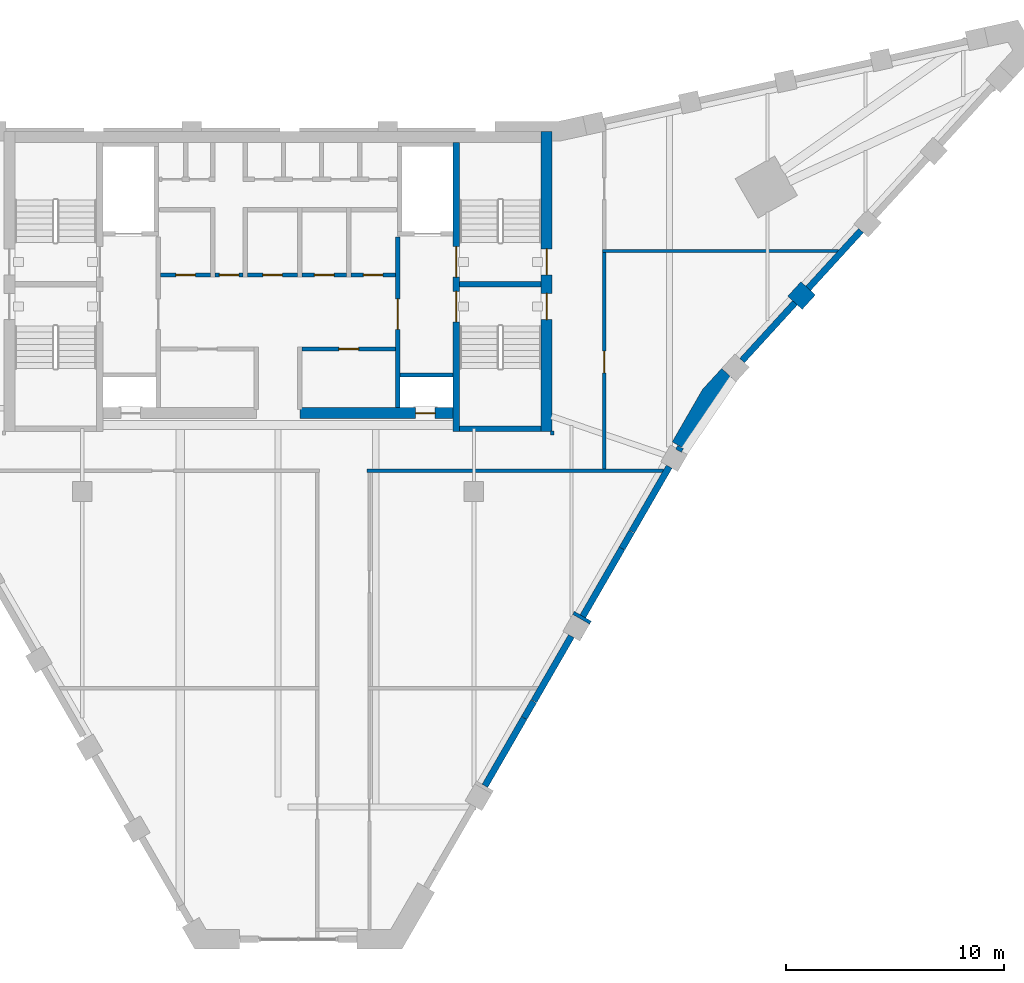
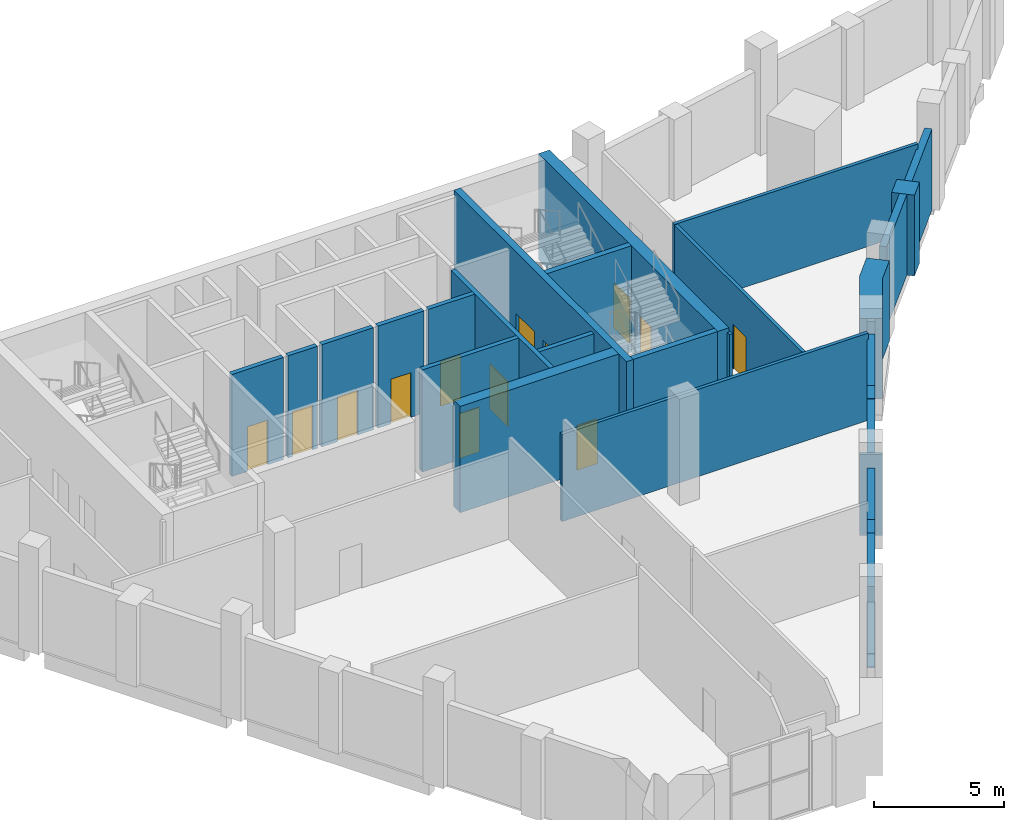
# One storey, part 5 of 9: 29 walls, 13 doors, 13 openings.
"""IFC4 building model written with IfcOpenShell, lengths in metres."""

from ifc_helpers import new_model, si_unit, direction, frame, frame_2d, origin, place, context, subcontext, project, spatial, polyline, rectangle, outline, extrude, material, layer, layer_set, type_object, element, fill, save


model = new_model("IFC4")

# Units and contexts
model_context = context("Model", 3, precision=1e-05, world=origin(), true_north=direction((0.0, 1.0)))
body_context = subcontext(model_context, "Body", "Model", "MODEL_VIEW")
ifc_project = project(units=[si_unit("LENGTHUNIT", "METRE"), si_unit("AREAUNIT", "SQUARE_METRE"), si_unit("VOLUMEUNIT", "CUBIC_METRE"), si_unit("PLANEANGLEUNIT", "RADIAN"), si_unit("MASSUNIT", "GRAM", prefix="KILO")], contexts=[model_context])

# Site, building, storey
site_placement = place(None, origin())
site = spatial("IfcSite", under=ifc_project, at=site_placement, CompositionType="ELEMENT")
building_placement = place(site_placement, origin())
building = spatial("IfcBuilding", under=site, at=building_placement, Name="Calabash Gate Tower", CompositionType="ELEMENT")
storey_placement = place(building_placement, frame((0.0, 0.0, 315.5)))
storey = spatial("IfcBuildingStorey", under=building, at=storey_placement, Name="L74", CompositionType="ELEMENT", Elevation=315.5)

# Walls
ifc_material_1 = material(Name="Terracotta brick masonry, exposed face", Category="masonry")
ifc_layer_1 = layer(ifc_material_1, 0.89990234375)
ifc_layer_set_1 = layer_set([ifc_layer_1], Name="Brick end wall 900")
wall_type_1 = type_object("IfcWallType", Name="Brick end wall 900", PredefinedType="SOLIDWALL", material=ifc_layer_set_1)
wall_1_placement = place(storey_placement, origin())
element("IfcWall", 1, at=wall_1_placement, inside=storey, type_object=wall_type_1, Name="Brick pier L74 crown2.3", PredefinedType="SOLIDWALL", context=body_context, shape_type="SweptSolid", body=[
    extrude(outline(polyline([(14.401611328125, -3.462890625), (13.622314453125, -3.012939453125), (13.5439453125, -3.148681640625), (14.32275390625, -3.598388671875), (13.950927734375, -4.241943359375), (13.95166015625, -4.242431640625), (14.401611328125, -3.462890625)])), origin(), (0.0, 0.0, 1.0), 3.800048828125),
])
wall_2_placement = place(storey_placement, frame((23.763671875, 11.17333984375, 0.0), z_axis=(0.0, 0.0, 1.0), x_axis=(0.674802966049, 0.737997938352, 0.0)))
element("IfcWall", 2, at=wall_2_placement, inside=storey, type_object=wall_type_1, Name="Brick pier L74 crown3.1", PredefinedType="SOLIDWALL", context=body_context, shape_type="SweptSolid", body=[
    extrude(rectangle(XDim=0.900146484375, YDim=0.89990234375, at=frame_2d((0.4501953125, 0.0))), origin(), (0.0, 0.0, 1.0), 3.800048828125),
])
wall_3_placement = place(storey_placement, origin())
element("IfcWall", 3, at=wall_3_placement, inside=storey, type_object=wall_type_1, Name="Brick end wall L74 3", PredefinedType="SOLIDWALL", context=body_context, shape_type="SweptSolid", body=[
    extrude(outline(polyline([(18.122314453125, 4.78125), (18.901611328125, 4.331298828125), (20.24658203125, 6.66064453125), (21.058837890625, 7.548828125), (20.394775390625, 8.15625), (19.516357421875, 7.19580078125), (18.122314453125, 4.78125)])), origin(), (0.0, 0.0, 1.0), 3.800048828125),
])

# Wall, opening, door
ifc_material_2 = material(Name="Gypsum board on steel studs, mineral wool", Category="steel")
ifc_layer_2 = layer(ifc_material_2, 0.199951171875)
ifc_layer_set_2 = layer_set([ifc_layer_2], Name="Core partition 200 gypsum board")
wall_type_2 = type_object("IfcWallType", Name="Core partition 200 gypsum board", PredefinedType="PARTITIONING", material=ifc_layer_set_2)
wall_4_placement = place(storey_placement, frame((1.10009765625, 9.052490234375, 0.0), z_axis=(0.0, 0.0, 1.0), x_axis=(1.0, 0.0, 0.0)))
wall_4 = element("IfcWall", 4, at=wall_4_placement, inside=storey, type_object=wall_type_2, Name="Core partition", PredefinedType="PARTITIONING", context=body_context, shape_type="SweptSolid", body=[
    extrude(rectangle(XDim=4.2998046875, YDim=0.199951171875, at=frame_2d((2.14990234375, 0.0))), origin(), (0.0, 0.0, 1.0), 4.800048828125),
])
opening_1_placement = place(wall_4_placement, frame((1.699951171875, 0.0, 0.0)))
opening_1 = element("IfcOpeningElement", 5, at=opening_1_placement, cuts=wall_4, Name="Opening L74-019", PredefinedType="OPENING", context=body_context, shape_type="SweptSolid", body=[
    extrude(rectangle(XDim=0.89990234375, YDim=2.10009765625, at=frame_2d((0.449951171875, 1.050048828125))), frame((0.0, 0.10986328125, 0.0), z_axis=(0.0, -1.0, 0.0), x_axis=(1.0, 0.0, 0.0)), (0.0, 0.0, 1.0), 0.219970703125),
])
ifc_material_3 = material(Name="Steel fire door set with fire-resisting glazing", Category="steel")
door_type_1 = type_object("IfcDoorType", Name="Fire door D06 900x2100 FD60", OperationType="NOTDEFINED", PredefinedType="DOOR", material=ifc_material_3)
door_1_placement = place(opening_1_placement, origin())
door_1 = element("IfcDoor", 6, at=door_1_placement, inside=storey, type_object=door_type_1, Name="Maintenance Store door", OperationType="SINGLE_SWING_LEFT", OverallHeight=2.10009765625, OverallWidth=0.89990234375, PredefinedType="DOOR", context=body_context, shape_type="SweptSolid", body=[
    extrude(rectangle(XDim=0.89990234375, YDim=2.10009765625, at=frame_2d((0.449951171875, 1.050048828125))), frame((0.0, 0.02490234375, 0.0), z_axis=(0.0, -1.0, 0.0), x_axis=(1.0, 0.0, 0.0)), (0.0, 0.0, 1.0), 0.050048828125),
])
fill(opening_1, door_1)

wall_5_placement = place(storey_placement, frame((-5.39990234375, 12.45263671875, 0.0), z_axis=(0.0, 0.0, 1.0), x_axis=(1.0, 0.0, 0.0)))
wall_5 = element("IfcWall", 7, at=wall_5_placement, inside=storey, type_object=wall_type_2, Name="Core partition", PredefinedType="PARTITIONING", context=body_context, shape_type="SweptSolid", body=[
    extrude(rectangle(XDim=2.2998046875, YDim=0.199951171875, at=frame_2d((1.14990234375, 0.0))), origin(), (0.0, 0.0, 1.0), 4.800048828125),
])
opening_2_placement = place(wall_5_placement, frame((0.699951171875, 0.0, 0.0)))
opening_2 = element("IfcOpeningElement", 8, at=opening_2_placement, cuts=wall_5, Name="Opening L74-022", PredefinedType="OPENING", context=body_context, shape_type="SweptSolid", body=[
    extrude(rectangle(XDim=0.89990234375, YDim=2.10009765625, at=frame_2d((0.449951171875, 1.050048828125))), frame((0.0, 0.10986328125, 0.0), z_axis=(0.0, -1.0, 0.0), x_axis=(1.0, 0.0, 0.0)), (0.0, 0.0, 1.0), 0.219970703125),
])
door_2_placement = place(opening_2_placement, origin())
door_2 = element("IfcDoor", 9, at=door_2_placement, inside=storey, type_object=door_type_1, Name="Emergency Generator Room door", OperationType="SINGLE_SWING_RIGHT", OverallHeight=2.10009765625, OverallWidth=0.89990234375, PredefinedType="DOOR", context=body_context, shape_type="SweptSolid", body=[
    extrude(rectangle(XDim=0.89990234375, YDim=2.10009765625, at=frame_2d((0.449951171875, 1.050048828125))), frame((0.0, 0.02490234375, 0.0), z_axis=(0.0, -1.0, 0.0), x_axis=(1.0, 0.0, 0.0)), (0.0, 0.0, 1.0), 0.050048828125),
])
fill(opening_2, door_2)

wall_6_placement = place(storey_placement, frame((-2.89990234375, 12.45263671875, 0.0), z_axis=(0.0, 0.0, 1.0), x_axis=(1.0, 0.0, 0.0)))
wall_6 = element("IfcWall", 10, at=wall_6_placement, inside=storey, type_object=wall_type_2, Name="Core partition", PredefinedType="PARTITIONING", context=body_context, shape_type="SweptSolid", body=[
    extrude(rectangle(XDim=1.2998046875, YDim=0.199951171875, at=frame_2d((0.64990234375, 0.0))), origin(), (0.0, 0.0, 1.0), 4.800048828125),
])
opening_3_placement = place(wall_6_placement, frame((0.199951171875, 0.0, 0.0)))
opening_3 = element("IfcOpeningElement", 11, at=opening_3_placement, cuts=wall_6, Name="Opening L74-009", PredefinedType="OPENING", context=body_context, shape_type="SweptSolid", body=[
    extrude(rectangle(XDim=0.89990234375, YDim=2.10009765625, at=frame_2d((0.449951171875, 1.050048828125))), frame((0.0, 0.10986328125, 0.0), z_axis=(0.0, -1.0, 0.0), x_axis=(1.0, 0.0, 0.0)), (0.0, 0.0, 1.0), 0.219970703125),
])
door_3_placement = place(opening_3_placement, origin())
door_3 = element("IfcDoor", 12, at=door_3_placement, inside=storey, type_object=door_type_1, Name="Service Corridor door", OperationType="SINGLE_SWING_RIGHT", OverallHeight=2.10009765625, OverallWidth=0.89990234375, PredefinedType="DOOR", context=body_context, shape_type="SweptSolid", body=[
    extrude(rectangle(XDim=0.89990234375, YDim=2.10009765625, at=frame_2d((0.449951171875, 1.050048828125))), frame((0.0, 0.02490234375, 0.0), z_axis=(0.0, -1.0, 0.0), x_axis=(1.0, 0.0, 0.0)), (0.0, 0.0, 1.0), 0.050048828125),
])
fill(opening_3, door_3)

wall_7_placement = place(storey_placement, frame((-1.39990234375, 12.45263671875, 0.0), z_axis=(0.0, 0.0, 1.0), x_axis=(1.0, 0.0, 0.0)))
wall_7 = element("IfcWall", 13, at=wall_7_placement, inside=storey, type_object=wall_type_2, Name="Core partition", PredefinedType="PARTITIONING", context=body_context, shape_type="SweptSolid", body=[
    extrude(rectangle(XDim=2.2998046875, YDim=0.199951171875, at=frame_2d((1.14990234375, 0.0))), origin(), (0.0, 0.0, 1.0), 4.800048828125),
])
opening_4_placement = place(wall_7_placement, frame((0.699951171875, 0.0, 0.0)))
opening_4 = element("IfcOpeningElement", 14, at=opening_4_placement, cuts=wall_7, Name="Opening L74-023", PredefinedType="OPENING", context=body_context, shape_type="SweptSolid", body=[
    extrude(rectangle(XDim=0.89990234375, YDim=2.10009765625, at=frame_2d((0.449951171875, 1.050048828125))), frame((0.0, 0.10986328125, 0.0), z_axis=(0.0, -1.0, 0.0), x_axis=(1.0, 0.0, 0.0)), (0.0, 0.0, 1.0), 0.219970703125),
])
door_4_placement = place(opening_4_placement, origin())
door_4 = element("IfcDoor", 15, at=door_4_placement, inside=storey, type_object=door_type_1, Name="Plant UPS Room door", OperationType="SINGLE_SWING_RIGHT", OverallHeight=2.10009765625, OverallWidth=0.89990234375, PredefinedType="DOOR", context=body_context, shape_type="SweptSolid", body=[
    extrude(rectangle(XDim=0.89990234375, YDim=2.10009765625, at=frame_2d((0.449951171875, 1.050048828125))), frame((0.0, 0.02490234375, 0.0), z_axis=(0.0, -1.0, 0.0), x_axis=(1.0, 0.0, 0.0)), (0.0, 0.0, 1.0), 0.050048828125),
])
fill(opening_4, door_4)

wall_8_placement = place(storey_placement, frame((1.10009765625, 12.45263671875, 0.0), z_axis=(0.0, 0.0, 1.0), x_axis=(1.0, 0.0, 0.0)))
wall_8 = element("IfcWall", 16, at=wall_8_placement, inside=storey, type_object=wall_type_2, Name="Core partition", PredefinedType="PARTITIONING", context=body_context, shape_type="SweptSolid", body=[
    extrude(rectangle(XDim=2.0498046875, YDim=0.199951171875, at=frame_2d((1.02490234375, 0.0))), origin(), (0.0, 0.0, 1.0), 4.800048828125),
])
opening_5_placement = place(wall_8_placement, frame((0.574951171875, 0.0, 0.0)))
opening_5 = element("IfcOpeningElement", 17, at=opening_5_placement, cuts=wall_8, Name="Opening L74-020", PredefinedType="OPENING", context=body_context, shape_type="SweptSolid", body=[
    extrude(rectangle(XDim=0.89990234375, YDim=2.10009765625, at=frame_2d((0.449951171875, 1.050048828125))), frame((0.0, 0.10986328125, 0.0), z_axis=(0.0, -1.0, 0.0), x_axis=(1.0, 0.0, 0.0)), (0.0, 0.0, 1.0), 0.219970703125),
])
door_5_placement = place(opening_5_placement, origin())
door_5 = element("IfcDoor", 18, at=door_5_placement, inside=storey, type_object=door_type_1, Name="Plant Spares Store door", OperationType="SINGLE_SWING_RIGHT", OverallHeight=2.10009765625, OverallWidth=0.89990234375, PredefinedType="DOOR", context=body_context, shape_type="SweptSolid", body=[
    extrude(rectangle(XDim=0.89990234375, YDim=2.10009765625, at=frame_2d((0.449951171875, 1.050048828125))), frame((0.0, 0.02490234375, 0.0), z_axis=(0.0, -1.0, 0.0), x_axis=(1.0, 0.0, 0.0)), (0.0, 0.0, 1.0), 0.050048828125),
])
fill(opening_5, door_5)

wall_9_placement = place(storey_placement, frame((3.35009765625, 12.45263671875, 0.0), z_axis=(0.0, 0.0, 1.0), x_axis=(1.0, 0.0, 0.0)))
wall_9 = element("IfcWall", 19, at=wall_9_placement, inside=storey, type_object=wall_type_2, Name="Core partition", PredefinedType="PARTITIONING", context=body_context, shape_type="SweptSolid", body=[
    extrude(rectangle(XDim=2.0498046875, YDim=0.199951171875, at=frame_2d((1.02490234375, 0.0))), origin(), (0.0, 0.0, 1.0), 4.800048828125),
])
opening_6_placement = place(wall_9_placement, frame((0.574951171875, 0.0, 0.0)))
opening_6 = element("IfcOpeningElement", 20, at=opening_6_placement, cuts=wall_9, Name="Opening L74-021", PredefinedType="OPENING", context=body_context, shape_type="SweptSolid", body=[
    extrude(rectangle(XDim=0.89990234375, YDim=2.10009765625, at=frame_2d((0.449951171875, 1.050048828125))), frame((0.0, 0.10986328125, 0.0), z_axis=(0.0, -1.0, 0.0), x_axis=(1.0, 0.0, 0.0)), (0.0, 0.0, 1.0), 0.219970703125),
])
door_6_placement = place(opening_6_placement, origin())
door_6 = element("IfcDoor", 21, at=door_6_placement, inside=storey, type_object=door_type_1, Name="Plant Workshop door", OperationType="SINGLE_SWING_LEFT", OverallHeight=2.10009765625, OverallWidth=0.89990234375, PredefinedType="DOOR", context=body_context, shape_type="SweptSolid", body=[
    extrude(rectangle(XDim=0.89990234375, YDim=2.10009765625, at=frame_2d((0.449951171875, 1.050048828125))), frame((0.0, 0.02490234375, 0.0), z_axis=(0.0, -1.0, 0.0), x_axis=(1.0, 0.0, 0.0)), (0.0, 0.0, 1.0), 0.050048828125),
])
fill(opening_6, door_6)

# Walls
ifc_material_4 = material(Name="Concrete C60/75", Category="concrete")
ifc_layer_3 = layer(ifc_material_4, 0.25)
ifc_layer_set_3 = layer_set([ifc_layer_3], Name="Core wall 250 Concrete C60/75")
wall_type_3 = type_object("IfcWallType", Name="Core wall 250 Concrete C60/75", PredefinedType="SHEAR", material=ifc_layer_set_3)
for number, where, z_axis, x_axis, name in (
    (22, (8.35009765625, 12.027587890625, 0.0), (0.0, 0.0, 1.0), (1.0, 0.0, 0.0), "Core wall C-MIDE L74"),
    (23, (8.35009765625, 5.377685546875, 0.0), (0.0, 0.0, 1.0), (1.0, 0.0, 0.0), "Core wall C-SSE L74"),
):
    element("IfcWall", number, at=place(storey_placement, frame(where, z_axis=z_axis, x_axis=x_axis)), inside=storey, type_object=wall_type_3, Name=name, PredefinedType="SHEAR", context=body_context, shape_type="SweptSolid", body=[
        extrude(rectangle(XDim=3.75, YDim=0.25, at=frame_2d((1.875, 0.0))), origin(), (0.0, 0.0, 1.0), 5.0),
    ])

# Wall, openings, doors
ifc_material_5 = material(Name="Concrete C60/75", Category="concrete")
ifc_layer_4 = layer(ifc_material_5, 0.300048828125)
ifc_layer_set_4 = layer_set([ifc_layer_4], Name="Core wall 300 Concrete C60/75")
wall_type_4 = type_object("IfcWallType", Name="Core wall 300 Concrete C60/75", PredefinedType="SHEAR", material=ifc_layer_set_4)
wall_10_placement = place(storey_placement, frame((8.199951171875, 5.252685546875, 0.0), z_axis=(0.0, 0.0, 1.0), x_axis=(0.0, 1.0, 0.0)))
wall_10 = element("IfcWall", 24, at=wall_10_placement, inside=storey, type_object=wall_type_4, Name="Core wall C-PARTE L74", PredefinedType="SHEAR", context=body_context, shape_type="SweptSolid", body=[
    extrude(rectangle(XDim=13.2998046875, YDim=0.300048828125, at=frame_2d((6.64990234375, 0.0))), origin(), (0.0, 0.0, 1.0), 5.0),
])
opening_7_placement = place(wall_10_placement, frame((7.10009765625, 0.0, 0.0)))
opening_7 = element("IfcOpeningElement", 25, at=opening_7_placement, cuts=wall_10, Name="Opening L74-003", PredefinedType="OPENING", context=body_context, shape_type="SweptSolid", body=[
    extrude(rectangle(XDim=1.39990234375, YDim=2.10009765625, at=frame_2d((0.699951171875, 1.050048828125))), frame((0.0, 0.159912109375, 0.0), z_axis=(0.0, -1.0, 0.0), x_axis=(1.0, 0.0, 0.0)), (0.0, 0.0, 1.0), 0.320068359375),
])
opening_8_placement = place(wall_10_placement, frame((5.050048828125, 0.0, 0.0)))
opening_8 = element("IfcOpeningElement", 26, at=opening_8_placement, cuts=wall_10, Name="Opening L74-004", PredefinedType="OPENING", context=body_context, shape_type="SweptSolid", body=[
    extrude(rectangle(XDim=1.39990234375, YDim=2.10009765625, at=frame_2d((0.699951171875, 1.050048828125))), frame((0.0, 0.159912109375, 0.0), z_axis=(0.0, -1.0, 0.0), x_axis=(1.0, 0.0, 0.0)), (0.0, 0.0, 1.0), 0.320068359375),
])
ifc_material_6 = material(Name="Steel fire door set with fire-resisting glazing", Category="steel")
door_type_2 = type_object("IfcDoorType", Name="Fire door D05 1400x2100 FD90", OperationType="NOTDEFINED", PredefinedType="DOOR", material=ifc_material_6)
door_7_placement = place(opening_7_placement, origin())
door_7 = element("IfcDoor", 27, at=door_7_placement, inside=storey, type_object=door_type_2, Name="Exit stair door ST3", OperationType="SINGLE_SWING_RIGHT", OverallHeight=2.10009765625, OverallWidth=1.39990234375, PredefinedType="DOOR", context=body_context, shape_type="SweptSolid", body=[
    extrude(rectangle(XDim=1.39990234375, YDim=2.10009765625, at=frame_2d((0.699951171875, 1.050048828125))), frame((0.0, 0.02490234375, 0.0), z_axis=(0.0, -1.0, 0.0), x_axis=(1.0, 0.0, 0.0)), (0.0, 0.0, 1.0), 0.050048828125),
])
fill(opening_7, door_7)
door_8_placement = place(opening_8_placement, origin())
door_8 = element("IfcDoor", 28, at=door_8_placement, inside=storey, type_object=door_type_2, Name="Exit stair door ST4", OperationType="SINGLE_SWING_LEFT", OverallHeight=2.10009765625, OverallWidth=1.39990234375, PredefinedType="DOOR", context=body_context, shape_type="SweptSolid", body=[
    extrude(rectangle(XDim=1.39990234375, YDim=2.10009765625, at=frame_2d((0.699951171875, 1.050048828125))), frame((0.0, 0.02490234375, 0.0), z_axis=(0.0, -1.0, 0.0), x_axis=(1.0, 0.0, 0.0)), (0.0, 0.0, 1.0), 0.050048828125),
])
fill(opening_8, door_8)

ifc_material_7 = material(Name="Concrete C60/75", Category="concrete")
ifc_layer_5 = layer(ifc_material_7, 0.5)
ifc_layer_set_5 = layer_set([ifc_layer_5], Name="Core wall 500 Concrete C60/75")
wall_type_5 = type_object("IfcWallType", Name="Core wall 500 Concrete C60/75", PredefinedType="SHEAR", material=ifc_layer_set_5)
wall_11_placement = place(storey_placement, frame((12.35009765625, 5.252685546875, 0.0), z_axis=(0.0, 0.0, 1.0), x_axis=(0.0, 1.0, 0.0)))
wall_11 = element("IfcWall", 29, at=wall_11_placement, inside=storey, type_object=wall_type_5, Name="Core wall C-COLE L74", PredefinedType="SHEAR", context=body_context, shape_type="SweptSolid", body=[
    extrude(rectangle(XDim=13.7998046875, YDim=0.5, at=frame_2d((6.89990234375, 0.0))), origin(), (0.0, 0.0, 1.0), 5.0),
])
opening_9_placement = place(wall_11_placement, frame((7.199951171875, 0.0, 0.0)))
opening_9 = element("IfcOpeningElement", 30, at=opening_9_placement, cuts=wall_11, Name="Opening L74-007", PredefinedType="OPENING", context=body_context, shape_type="SweptSolid", body=[
    extrude(rectangle(XDim=1.199951171875, YDim=2.10009765625, at=frame_2d((0.60009765625, 1.050048828125))), frame((0.0, 0.260009765625, 0.0), z_axis=(0.0, -1.0, 0.0), x_axis=(1.0, 0.0, 0.0)), (0.0, 0.0, 1.0), 0.52001953125),
])
opening_10_placement = place(wall_11_placement, frame((5.14990234375, 0.0, 0.0)))
opening_10 = element("IfcOpeningElement", 31, at=opening_10_placement, cuts=wall_11, Name="Opening L74-008", PredefinedType="OPENING", context=body_context, shape_type="SweptSolid", body=[
    extrude(rectangle(XDim=1.199951171875, YDim=2.10009765625, at=frame_2d((0.60009765625, 1.050048828125))), frame((0.0, 0.260009765625, 0.0), z_axis=(0.0, -1.0, 0.0), x_axis=(1.0, 0.0, 0.0)), (0.0, 0.0, 1.0), 0.52001953125),
])
ifc_material_8 = material(Name="Steel fire door set with fire-resisting glazing", Category="steel")
door_type_3 = type_object("IfcDoorType", Name="Fire door D10 1200x2100 FD90", OperationType="NOTDEFINED", PredefinedType="DOOR", material=ifc_material_8)
door_9_placement = place(opening_9_placement, origin())
door_9 = element("IfcDoor", 32, at=door_9_placement, inside=storey, type_object=door_type_3, Name="Exit stair door ST3", OperationType="SINGLE_SWING_RIGHT", OverallHeight=2.10009765625, OverallWidth=1.199951171875, PredefinedType="DOOR", context=body_context, shape_type="SweptSolid", body=[
    extrude(rectangle(XDim=1.199951171875, YDim=2.10009765625, at=frame_2d((0.60009765625, 1.050048828125))), frame((0.0, 0.02490234375, 0.0), z_axis=(0.0, -1.0, 0.0), x_axis=(1.0, 0.0, 0.0)), (0.0, 0.0, 1.0), 0.050048828125),
])
fill(opening_9, door_9)
door_10_placement = place(opening_10_placement, origin())
door_10 = element("IfcDoor", 33, at=door_10_placement, inside=storey, type_object=door_type_3, Name="Exit stair door ST4", OperationType="SINGLE_SWING_LEFT", OverallHeight=2.10009765625, OverallWidth=1.199951171875, PredefinedType="DOOR", context=body_context, shape_type="SweptSolid", body=[
    extrude(rectangle(XDim=1.199951171875, YDim=2.10009765625, at=frame_2d((0.60009765625, 1.050048828125))), frame((0.0, 0.02490234375, 0.0), z_axis=(0.0, -1.0, 0.0), x_axis=(1.0, 0.0, 0.0)), (0.0, 0.0, 1.0), 0.050048828125),
])
fill(opening_10, door_10)

# Wall, opening, door
wall_12_placement = place(storey_placement, frame((1.0, 6.1025390625, 0.0), z_axis=(0.0, 0.0, 1.0), x_axis=(1.0, 0.0, 0.0)))
wall_12 = element("IfcWall", 34, at=wall_12_placement, inside=storey, type_object=wall_type_5, Name="Core wall C-SB L74", PredefinedType="SHEAR", context=body_context, shape_type="SweptSolid", body=[
    extrude(rectangle(XDim=7.050048828125, YDim=0.5, at=frame_2d((3.52490234375, 0.0))), origin(), (0.0, 0.0, 1.0), 5.0),
])
opening_11_placement = place(wall_12_placement, frame((5.324951171875, 0.0, 0.0)))
opening_11 = element("IfcOpeningElement", 35, at=opening_11_placement, cuts=wall_12, Name="Opening L74-025", PredefinedType="OPENING", context=body_context, shape_type="SweptSolid", body=[
    extrude(rectangle(XDim=0.89990234375, YDim=2.10009765625, at=frame_2d((0.449951171875, 1.050048828125))), frame((0.0, 0.260009765625, 0.0), z_axis=(0.0, -1.0, 0.0), x_axis=(1.0, 0.0, 0.0)), (0.0, 0.0, 1.0), 0.52001953125),
])
ifc_material_9 = material(Name="Steel fire door set with fire-resisting glazing", Category="steel")
door_type_4 = type_object("IfcDoorType", Name="Fire door D07 900x2100 FD90", OperationType="NOTDEFINED", PredefinedType="DOOR", material=ifc_material_9)
door_11_placement = place(opening_11_placement, origin())
door_11 = element("IfcDoor", 36, at=door_11_placement, inside=storey, type_object=door_type_4, Name="Mechanical Riser E door", OperationType="SINGLE_SWING_RIGHT", OverallHeight=2.10009765625, OverallWidth=0.89990234375, PredefinedType="DOOR", context=body_context, shape_type="SweptSolid", body=[
    extrude(rectangle(XDim=0.89990234375, YDim=2.10009765625, at=frame_2d((0.449951171875, 1.050048828125))), frame((0.0, 0.02490234375, 0.0), z_axis=(0.0, -1.0, 0.0), x_axis=(1.0, 0.0, 0.0)), (0.0, 0.0, 1.0), 0.050048828125),
])
fill(opening_11, door_11)

# Wall
ifc_material_10 = material(Name="Gypsum board on steel studs, mineral wool", Category="steel")
ifc_layer_6 = layer(ifc_material_10, 0.14990234375)
ifc_layer_set_6 = layer_set([ifc_layer_6], Name="Partition 150 gypsum board")
wall_type_6 = type_object("IfcWallType", Name="Partition 150 gypsum board", PredefinedType="PARTITIONING", material=ifc_layer_set_6)
wall_13_placement = place(storey_placement, frame((4.094970703125, 3.45263671875, 0.0), z_axis=(0.0, 0.0, 1.0), x_axis=(1.0, 0.0, 0.0)))
element("IfcWall", 37, at=wall_13_placement, inside=storey, type_object=wall_type_6, Name="Partition", PredefinedType="PARTITIONING", context=body_context, shape_type="SweptSolid", body=[
    extrude(rectangle(XDim=13.626708984375, YDim=0.14990234375, at=frame_2d((6.8134765625, 0.0))), origin(), (0.0, 0.0, 1.0), 4.10009765625),
])

# Wall, opening, door
wall_14_placement = place(storey_placement, frame((15.0, 3.527587890625, 0.0), z_axis=(0.0, 0.0, 1.0), x_axis=(0.0, 1.0, 0.0)))
wall_14 = element("IfcWall", 38, at=wall_14_placement, inside=storey, type_object=wall_type_6, Name="Partition", PredefinedType="PARTITIONING", context=body_context, shape_type="SweptSolid", body=[
    extrude(rectangle(XDim=9.9560546875, YDim=0.14990234375, at=frame_2d((4.97802734375, 0.0))), origin(), (0.0, 0.0, 1.0), 4.02001953125),
])
opening_12_placement = place(wall_14_placement, frame((4.430908203125, 0.0, 0.0)))
opening_12 = element("IfcOpeningElement", 39, at=opening_12_placement, cuts=wall_14, Name="Opening L74-029", PredefinedType="OPENING", context=body_context, shape_type="SweptSolid", body=[
    extrude(rectangle(XDim=1.0, YDim=2.10009765625, at=frame_2d((0.5, 1.050048828125))), frame((0.0, 0.0849609375, 0.0), z_axis=(0.0, -1.0, 0.0), x_axis=(1.0, 0.0, 0.0)), (0.0, 0.0, 1.0), 0.169921875),
])
ifc_material_11 = material(Name="Steel fire door set with fire-resisting glazing", Category="steel")
door_type_5 = type_object("IfcDoorType", Name="Fire door D11 1000x2100 FD60", OperationType="NOTDEFINED", PredefinedType="DOOR", material=ifc_material_11)
door_12_placement = place(opening_12_placement, origin())
door_12 = element("IfcDoor", 40, at=door_12_placement, inside=storey, type_object=door_type_5, Name="Water Tank Room door", OperationType="SINGLE_SWING_RIGHT", OverallHeight=2.10009765625, OverallWidth=1.0, PredefinedType="DOOR", context=body_context, shape_type="SweptSolid", body=[
    extrude(rectangle(XDim=1.0, YDim=2.10009765625, at=frame_2d((0.5, 1.050048828125))), frame((0.0, 0.02490234375, 0.0), z_axis=(0.0, -1.0, 0.0), x_axis=(1.0, 0.0, 0.0)), (0.0, 0.0, 1.0), 0.050048828125),
])
fill(opening_12, door_12)

# Walls
wall_15_placement = place(storey_placement, frame((12.60009765625, 5.09765625, 0.0), z_axis=(0.0, 0.0, 1.0), x_axis=(0.0, 1.0, 0.0)))
element("IfcWall", 41, at=wall_15_placement, inside=storey, type_object=wall_type_6, Name="Partition", PredefinedType="PARTITIONING", context=body_context, shape_type="SweptSolid", body=[
    extrude(rectangle(XDim=0.179931640625, YDim=0.14990234375, at=frame_2d((0.08984375, 0.0))), origin(), (0.0, 0.0, 1.0), 4.800048828125),
])
wall_16_placement = place(storey_placement, frame((14.925048828125, 13.55859375, 0.0), z_axis=(0.0, 0.0, 1.0), x_axis=(1.0, 0.0, 0.0)))
element("IfcWall", 42, at=wall_16_placement, inside=storey, type_object=wall_type_6, Name="Partition", PredefinedType="PARTITIONING", context=body_context, shape_type="SweptSolid", body=[
    extrude(rectangle(XDim=10.836669921875, YDim=0.14990234375, at=frame_2d((5.41845703125, 0.0))), origin(), (0.0, 0.0, 1.0), 4.04345703125),
])

# Wall, opening, door
ifc_material_12 = material(Name="Concrete C40/50", Category="concrete")
ifc_layer_7 = layer(ifc_material_12, 0.199951171875)
ifc_layer_set_7 = layer_set([ifc_layer_7], Name="Shaft wall 200 Concrete C40/50")
wall_type_7 = type_object("IfcWallType", Name="Shaft wall 200 Concrete C40/50", PredefinedType="SOLIDWALL", material=ifc_layer_set_7)
wall_17_placement = place(storey_placement, frame((5.5, 6.3525390625, 0.0), z_axis=(0.0, 0.0, 1.0), x_axis=(0.0, 1.0, 0.0)))
wall_17 = element("IfcWall", 43, at=wall_17_placement, inside=storey, type_object=wall_type_7, Name="Shaft wall", PredefinedType="SOLIDWALL", context=body_context, shape_type="SweptSolid", body=[
    extrude(rectangle(XDim=7.85009765625, YDim=0.199951171875, at=frame_2d((3.925048828125, 0.0))), origin(), (0.0, 0.0, 1.0), 4.800048828125),
])
opening_13_placement = place(wall_17_placement, frame((3.60009765625, 0.0, 0.0)))
opening_13 = element("IfcOpeningElement", 44, at=opening_13_placement, cuts=wall_17, Name="Opening L74-011", PredefinedType="OPENING", context=body_context, shape_type="SweptSolid", body=[
    extrude(rectangle(XDim=1.39990234375, YDim=2.10009765625, at=frame_2d((0.699951171875, 1.050048828125))), frame((0.0, 0.10986328125, 0.0), z_axis=(0.0, -1.0, 0.0), x_axis=(1.0, 0.0, 0.0)), (0.0, 0.0, 1.0), 0.219970703125),
])
door_13_placement = place(opening_13_placement, origin())
door_13 = element("IfcDoor", 45, at=door_13_placement, inside=storey, type_object=door_type_2, Name="Firefighting Lobby E door", OperationType="SINGLE_SWING_LEFT", OverallHeight=2.10009765625, OverallWidth=1.39990234375, PredefinedType="DOOR", context=body_context, shape_type="SweptSolid", body=[
    extrude(rectangle(XDim=1.39990234375, YDim=2.10009765625, at=frame_2d((0.699951171875, 1.050048828125))), frame((0.0, 0.02490234375, 0.0), z_axis=(0.0, -1.0, 0.0), x_axis=(1.0, 0.0, 0.0)), (0.0, 0.0, 1.0), 0.050048828125),
])
fill(opening_13, door_13)

# Walls
wall_18_placement = place(storey_placement, frame((5.60009765625, 7.8525390625, 0.0), z_axis=(0.0, 0.0, 1.0), x_axis=(1.0, 0.0, 0.0)))
element("IfcWall", 46, at=wall_18_placement, inside=storey, type_object=wall_type_7, Name="Shaft wall", PredefinedType="SOLIDWALL", context=body_context, shape_type="SweptSolid", body=[
    extrude(rectangle(XDim=2.449951171875, YDim=0.199951171875, at=frame_2d((1.22509765625, 0.0))), origin(), (0.0, 0.0, 1.0), 4.800048828125),
])
ifc_material_13 = material(Name="Terracotta louvre blades in an aluminium frame", Category="masonry")
ifc_layer_8 = layer(ifc_material_13, 0.300048828125)
ifc_layer_set_8 = layer_set([ifc_layer_8], Name="Terracotta louvre wall 300")
wall_type_8 = type_object("IfcWallType", Name="Terracotta louvre wall 300", PredefinedType="ELEMENTEDWALL", material=ifc_layer_set_8)
wall_19_placement = place(storey_placement, frame((9.511962890625, -11.0322265625, 0.0), z_axis=(0.0, 0.0, 1.0), x_axis=(0.500012057535, 0.866018442252, 0.0)))
element("IfcWall", 47, at=wall_19_placement, inside=storey, type_object=wall_type_8, Name="LOUVRE L74 crown2.2", PredefinedType="ELEMENTEDWALL", context=body_context, shape_type="SweptSolid", body=[
    extrude(rectangle(XDim=3.60009765625, YDim=0.300048828125, at=frame_2d((1.800048828125, 0.0))), origin(), (0.0, 0.0, 1.0), 3.800048828125),
])
wall_20_placement = place(storey_placement, origin())
element("IfcWall", 48, at=wall_20_placement, inside=storey, type_object=wall_type_8, Name="LOUVRE L74 crown2.3", PredefinedType="ELEMENTEDWALL", context=body_context, shape_type="SweptSolid", body=[
    extrude(outline(polyline([(11.891845703125, -7.210205078125), (13.613525390625, -4.22802734375), (13.353759765625, -4.078125), (11.632080078125, -7.06005859375), (11.891845703125, -7.210205078125)])), origin(), (0.0, 0.0, 1.0), 3.800048828125),
])
wall_21_placement = place(storey_placement, frame((14.011962890625, -3.238037109375, 0.0), z_axis=(0.0, 0.0, 1.0), x_axis=(0.500012057535, 0.866018442252, 0.0)))
element("IfcWall", 49, at=wall_21_placement, inside=storey, type_object=wall_type_8, Name="LOUVRE L74 crown2.4", PredefinedType="ELEMENTEDWALL", context=body_context, shape_type="SweptSolid", body=[
    extrude(rectangle(XDim=3.60009765625, YDim=0.300048828125, at=frame_2d((1.800048828125, 0.0))), origin(), (0.0, 0.0, 1.0), 3.800048828125),
])
wall_22_placement = place(storey_placement, origin())
element("IfcWall", 50, at=wall_22_placement, inside=storey, type_object=wall_type_8, Name="LOUVRE L74 crown2.5", PredefinedType="ELEMENTEDWALL", context=body_context, shape_type="SweptSolid", body=[
    extrude(outline(polyline([(16.391845703125, 0.584228515625), (18.113037109375, 3.565185546875), (17.853271484375, 3.715087890625), (16.132080078125, 0.734130859375), (16.391845703125, 0.584228515625)])), origin(), (0.0, 0.0, 1.0), 3.800048828125),
])
wall_23_placement = place(storey_placement, origin())
element("IfcWall", 51, at=wall_23_placement, inside=storey, type_object=wall_type_8, Name="LOUVRE L74 crown3.1", PredefinedType="ELEMENTEDWALL", context=body_context, shape_type="SweptSolid", body=[
    extrude(outline(polyline([(23.653076171875, 11.274658203125), (21.224853515625, 8.619384765625), (21.4462890625, 8.4169921875), (23.874267578125, 11.072265625), (23.653076171875, 11.274658203125)])), origin(), (0.0, 0.0, 1.0), 3.800048828125),
])
wall_24_placement = place(storey_placement, frame((24.37109375, 11.837646484375, 0.0), z_axis=(0.0, 0.0, 1.0), x_axis=(0.674867348758, 0.737939063595, 0.0)))
element("IfcWall", 52, at=wall_24_placement, inside=storey, type_object=wall_type_8, Name="LOUVRE L74 crown3.2", PredefinedType="ELEMENTEDWALL", context=body_context, shape_type="SweptSolid", body=[
    extrude(rectangle(XDim=3.599853515625, YDim=0.300048828125, at=frame_2d((1.7998046875, 0.0))), origin(), (0.0, 0.0, 1.0), 3.800048828125),
])
wall_25_placement = place(storey_placement, frame((11.75244140625, -7.151611328125, 0.0), z_axis=(0.0, 0.0, 1.0), x_axis=(-0.499971461383, -0.866041879935, 0.0)))
element("IfcWall", 53, at=wall_25_placement, inside=storey, type_object=wall_type_8, Name="LOUVRE L74 edge crown2.c6", PredefinedType="ELEMENTEDWALL", context=body_context, shape_type="SweptSolid", body=[
    extrude(rectangle(XDim=0.876953125, YDim=0.300048828125, at=frame_2d((0.4384765625, 0.0))), origin(), (0.0, 0.0, 1.0), 3.800048828125),
])
wall_26_placement = place(storey_placement, frame((15.81396484375, -0.116943359375, 0.0), z_axis=(0.0, 0.0, 1.0), x_axis=(0.499850947872, 0.86611144197, 0.0)))
element("IfcWall", 54, at=wall_26_placement, inside=storey, type_object=wall_type_8, Name="LOUVRE L74 edge crown2.c7", PredefinedType="ELEMENTEDWALL", context=body_context, shape_type="SweptSolid", body=[
    extrude(rectangle(XDim=0.877197265625, YDim=0.300048828125, at=frame_2d((0.4384765625, 0.0))), origin(), (0.0, 0.0, 1.0), 3.800048828125),
])
wall_27_placement = place(storey_placement, frame((18.5849609375, 4.382568359375, 0.0), z_axis=(0.0, 0.0, 1.0), x_axis=(-0.866131372301, 0.499816412211, 0.0)))
element("IfcWall", 55, at=wall_27_placement, inside=storey, type_object=wall_type_8, Name="LOUVRE L74 edge crown2.c8", PredefinedType="ELEMENTEDWALL", context=body_context, shape_type="SweptSolid", body=[
    extrude(rectangle(XDim=0.2998046875, YDim=0.18994140625, at=frame_2d((0.14990234375, 0.0))), origin(), (0.0, 0.0, 1.0), 3.800048828125),
])

save(model, "model.ifc")
